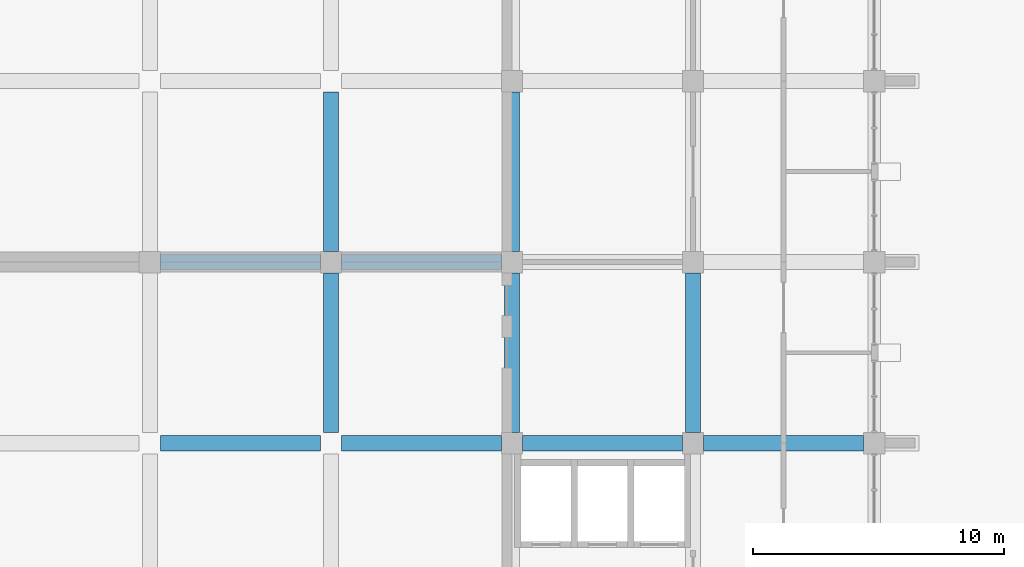
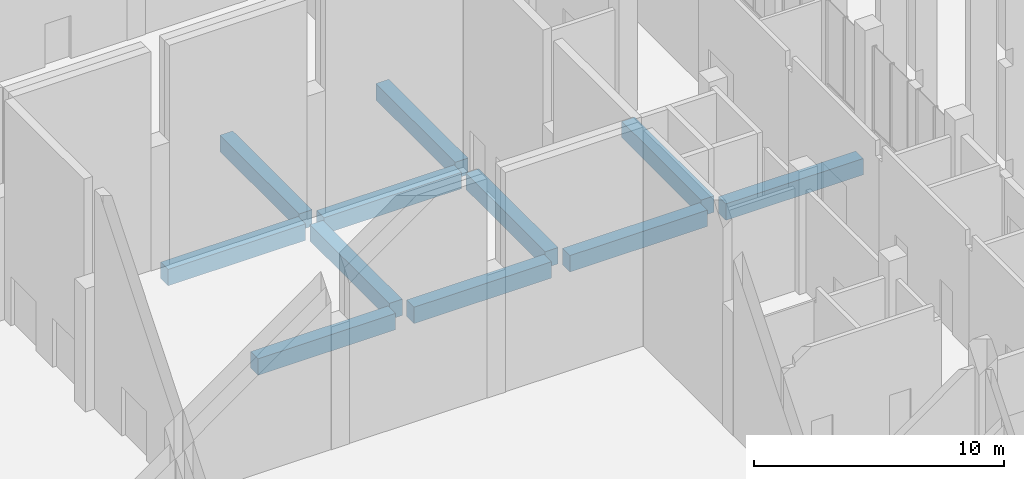
# One storey, part 19 of 50: 11 beams.
"""IFC4 building model written with IfcOpenShell, lengths in metres."""

from ifc_helpers import new_model, si_unit, direction, frame, origin, origin_2d, place, context, subcontext, project, spatial, rectangle, extrude, material, material_profile, profile_set, type_object, element, save


model = new_model("IFC4")

# Units and contexts
model_context = context("Model", 3, precision=1e-05, world=origin(), true_north=direction((0.0, 1.0)))
body_context = subcontext(model_context, "Body", "Model", "MODEL_VIEW")
ifc_project = project(units=[si_unit("LENGTHUNIT", "METRE"), si_unit("AREAUNIT", "SQUARE_METRE"), si_unit("VOLUMEUNIT", "CUBIC_METRE"), si_unit("PLANEANGLEUNIT", "RADIAN"), si_unit("MASSUNIT", "GRAM", prefix="KILO")], contexts=[model_context])

# Site, building, storey
site_placement = place(None, origin())
site = spatial("IfcSite", under=ifc_project, at=site_placement, CompositionType="ELEMENT")
building_placement = place(site_placement, origin())
building = spatial("IfcBuilding", under=site, at=building_placement, Name="Silangan Lancet Faculty of Sciences", CompositionType="ELEMENT")
storey_placement = place(building_placement, origin())
storey = spatial("IfcBuildingStorey", under=building, at=storey_placement, Name="L00", CompositionType="ELEMENT", Elevation=0.0)

# Beams
ifc_material = material(Name="Concrete C40/50", Category="concrete")
ifc_material_profile = material_profile(ifc_material, rectangle(XDim=0.60009765625, YDim=0.800048828125, at=origin_2d()), Name="RC 600x800")
ifc_profile_set = profile_set([ifc_material_profile], Name="Concrete C40/50")
beam_type = type_object("IfcBeamType", Name="BEAM RC 600x800", PredefinedType="BEAM", material=ifc_profile_set)
beam_placement = place(storey_placement, frame((58.02490234375, 28.800048828125, -0.699951171875), z_axis=(1.0, 0.0, 0.0), x_axis=(0.0, 1.0, 0.0)))
element("IfcBeam", 1, at=beam_placement, inside=storey, type_object=beam_type, Name="BM-L00-9E-10E", PredefinedType="BEAM", context=body_context, shape_type="SweptSolid", body=[
    extrude(rectangle(XDim=0.60009765625, YDim=0.800048828125, at=origin_2d()), origin(), (0.0, 0.0, 1.0), 6.35009765625),
])
for number, where, z_axis, x_axis, name in (
    (2, (65.22509765625, 28.800048828125, -0.699951171875), (1.0, 0.0, 0.0), (0.0, 1.0, 0.0), "BM-L00-10E-11E"),
    (3, (72.425048828125, 28.800048828125, -0.699951171875), (1.0, 0.0, 0.0), (0.0, 1.0, 0.0), "BM-L00-11E-12E"),
):
    element("IfcBeam", number, at=place(storey_placement, frame(where, z_axis=z_axis, x_axis=x_axis)), inside=storey, type_object=beam_type, Name=name, PredefinedType="BEAM", context=body_context, shape_type="SweptSolid", body=[
        extrude(rectangle(XDim=0.60009765625, YDim=0.800048828125, at=origin_2d()), origin(), (0.0, 0.0, 1.0), 6.349853515625),
    ])
for number, where, z_axis, x_axis, name in (
    (4, (79.625, 28.800048828125, -0.699951171875), (1.0, 0.0, 0.0), (0.0, 1.0, 0.0), "BM-L00-12E-13E"),
    (5, (58.02490234375, 36.0, -0.699951171875), (1.0, 0.0, 0.0), (0.0, 1.0, 0.0), "BM-L00-9F-10F"),
):
    element("IfcBeam", number, at=place(storey_placement, frame(where, z_axis=z_axis, x_axis=x_axis)), inside=storey, type_object=beam_type, Name=name, PredefinedType="BEAM", context=body_context, shape_type="SweptSolid", body=[
        extrude(rectangle(XDim=0.60009765625, YDim=0.800048828125, at=origin_2d()), origin(), (0.0, 0.0, 1.0), 6.35009765625),
    ])
for number, where, z_axis, x_axis, name in (
    (6, (65.22509765625, 36.0, -0.699951171875), (1.0, 0.0, 0.0), (0.0, 1.0, 0.0), "BM-L00-10F-11F"),
    (7, (64.800048828125, 29.22509765625, -0.699951171875), (0.0, 1.0, 0.0), (-1.0, 0.0, 0.0), "BM-L00-10E-10F"),
    (8, (64.800048828125, 36.425048828125, -0.699951171875), (0.0, 1.0, 0.0), (-1.0, 0.0, 0.0), "BM-L00-10F-10G"),
    (9, (72.0, 29.22509765625, -0.699951171875), (0.0, 1.0, 0.0), (-1.0, 0.0, 0.0), "BM-L00-11E-11F"),
    (10, (72.0, 36.425048828125, -0.699951171875), (0.0, 1.0, 0.0), (-1.0, 0.0, 0.0), "BM-L00-11F-11G"),
    (11, (79.199951171875, 29.22509765625, -0.699951171875), (0.0, 1.0, 0.0), (-1.0, 0.0, 0.0), "BM-L00-12E-12F"),
):
    element("IfcBeam", number, at=place(storey_placement, frame(where, z_axis=z_axis, x_axis=x_axis)), inside=storey, type_object=beam_type, Name=name, PredefinedType="BEAM", context=body_context, shape_type="SweptSolid", body=[
        extrude(rectangle(XDim=0.60009765625, YDim=0.800048828125, at=origin_2d()), origin(), (0.0, 0.0, 1.0), 6.349853515625),
    ])

save(model, "model.ifc")
